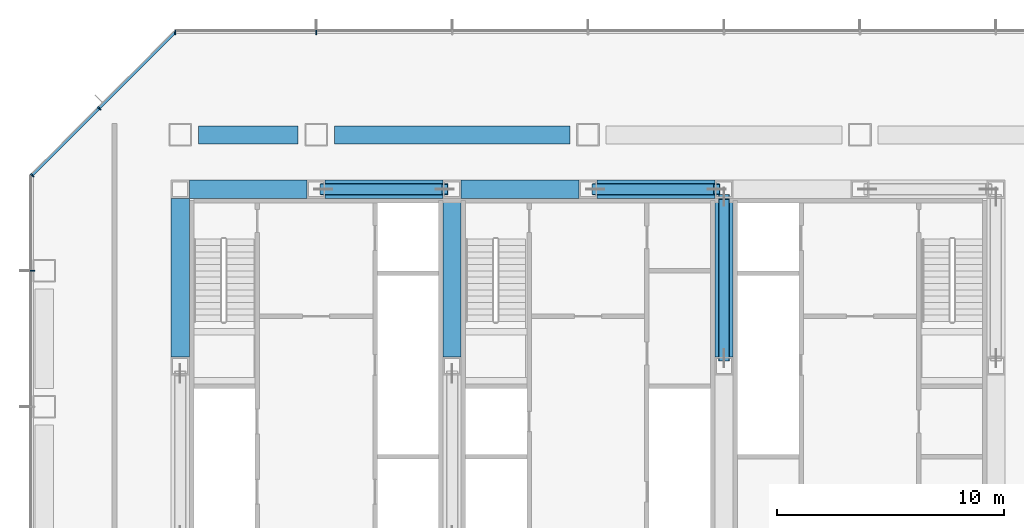
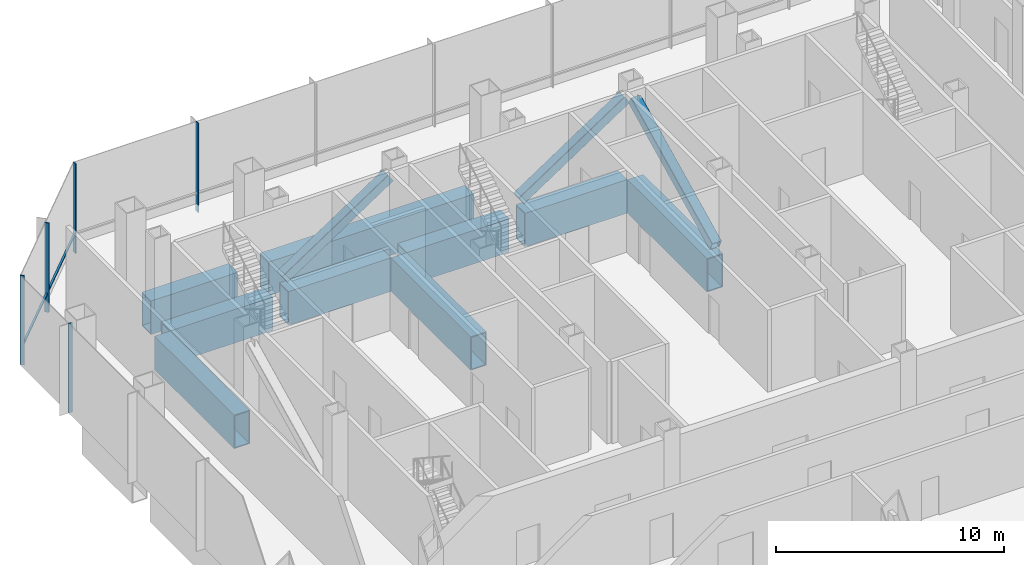
# One storey, part 12 of 34: 9 beams, 9 members, 3 elements without a shape of their own.
"""IFC4 building model written with IfcOpenShell, lengths in metres."""

from ifc_helpers import new_model, si_unit, direction, frame, origin, origin_2d, place, context, subcontext, project, spatial, rectangle, hollow_rectangle, extrude, material, material_profile, profile_set, type_object, element, aggregate, save


model = new_model("IFC4")

# Units and contexts
model_context = context("Model", 3, precision=1e-05, world=origin(), true_north=direction((0.0, 1.0)))
body_context = subcontext(model_context, "Body", "Model", "MODEL_VIEW")
ifc_project = project(units=[si_unit("LENGTHUNIT", "METRE"), si_unit("AREAUNIT", "SQUARE_METRE"), si_unit("VOLUMEUNIT", "CUBIC_METRE"), si_unit("PLANEANGLEUNIT", "RADIAN"), si_unit("MASSUNIT", "GRAM", prefix="KILO")], contexts=[model_context])

# Site, building, storey
site_placement = place(None, origin())
site = spatial("IfcSite", under=ifc_project, at=site_placement, CompositionType="ELEMENT")
building_placement = place(site_placement, origin())
building = spatial("IfcBuilding", under=site, at=building_placement, Name="Sorahane Residences", CompositionType="ELEMENT")
storey_placement = place(building_placement, frame((0.0, 0.0, 20.39990234375)))
storey = spatial("IfcBuildingStorey", under=building, at=storey_placement, Name="L02", CompositionType="ELEMENT", Elevation=20.39990234375)

# Members
ifc_material_1 = material(Name="Steel Q355B", Category="steel")
ifc_material_profile_1 = material_profile(ifc_material_1, hollow_rectangle(XDim=0.5, YDim=0.5, WallThickness=0.02490234375, InnerFilletRadius=0.012451171875, OuterFilletRadius=0.03759765625, at=origin_2d()), Name="RHS 500x500x25")
ifc_profile_set_1 = profile_set([ifc_material_profile_1], Name="Steel Q355B")
member_type_1 = type_object("IfcMemberType", Name="Core brace RHS 500x500x25 Q355B", PredefinedType="BRACE", material=ifc_profile_set_1)
for number, where, z_axis, x_axis, name in (
    (1, (12.317138671875, 45.60009765625, 0.195068359375), (0.833273178454, 0.0, 0.552861474575), (0.0, 1.0, 0.0), "Core brace L02 y45.6-2"),
    (2, (24.317138671875, 45.60009765625, 0.195068359375), (0.833273178454, 0.0, 0.552861474575), (0.0, 1.0, 0.0), "Core brace L02 y45.6-4"),
):
    element("IfcMember", number, at=place(storey_placement, frame(where, z_axis=z_axis, x_axis=x_axis)), inside=storey, type_object=member_type_1, Name=name, PredefinedType="BRACE", context=body_context, shape_type="SweptSolid", body=[
        extrude(hollow_rectangle(XDim=0.5, YDim=0.5, WallThickness=0.02490234375, InnerFilletRadius=0.012451171875, OuterFilletRadius=0.03759765625, at=origin_2d()), origin(), (0.0, 0.0, 1.0), 6.439453125),
    ])
member_1_placement = place(storey_placement, frame((30.0, 38.1337890625, 0.217529296875), z_axis=(0.0, 0.896985291701, 0.442060387811), x_axis=(-1.0, 0.0, 0.0)))
element("IfcMember", 3, at=member_1_placement, inside=storey, type_object=member_type_1, Name="Core brace L02 x30-2", PredefinedType="BRACE", context=body_context, shape_type="SweptSolid", body=[
    extrude(hollow_rectangle(XDim=0.5, YDim=0.5, WallThickness=0.02490234375, InnerFilletRadius=0.012451171875, OuterFilletRadius=0.03759765625, at=origin_2d()), origin(), (0.0, 0.0, 1.0), 7.95166015625),
])

# Curtain wall, members
ifc_material_2 = material(Name="Dark low-e glass and black anodised aluminium", Category="aluminium")
curtain_wall_type = type_object("IfcCurtainWallType", Name="Curtain wall CW-3 Podium unitised wall", PredefinedType="NOTDEFINED", material=ifc_material_2)
curtain_wall_1_placement = place(storey_placement, origin())
curtain_wall_1 = element("IfcCurtainWall", 4, at=curtain_wall_1_placement, inside=storey, type_object=curtain_wall_type, Name="CW-3 curtain wall L02 N1", PredefinedType="NOTDEFINED")
ifc_material_3 = material(Name="Black anodised aluminium", Category="aluminium")
ifc_material_profile_2 = material_profile(ifc_material_3, rectangle(XDim=0.199951171875, YDim=0.050048828125, at=origin_2d()), Name="Curtain wall mullion CW-3 black anodised aluminium 50x200")
ifc_profile_set_2 = profile_set([ifc_material_profile_2], Name="Black anodised aluminium")
member_type_2 = type_object("IfcMemberType", Name="Curtain wall mullion CW-3 black anodised aluminium 50x200", PredefinedType="MULLION", material=ifc_profile_set_2)
member_2_placement = place(storey_placement, frame((12.0, 52.52001953125, -0.39990234375), z_axis=(0.0, 0.0, 1.0), x_axis=(0.0, 1.0, 0.0)))
member_2 = element("IfcMember", 5, at=member_2_placement, type_object=member_type_2, Name="CW-3 mullion L02 N1.12", PredefinedType="MULLION", context=body_context, shape_type="SweptSolid", body=[
    extrude(rectangle(XDim=0.199951171875, YDim=0.050048828125, at=origin_2d()), origin(), (0.0, 0.0, 1.0), 4.800048828125),
])
member_3_placement = place(storey_placement, frame((5.7763671875, 52.52001953125, -0.39990234375), z_axis=(0.0, 0.0, 1.0), x_axis=(0.0, 1.0, 0.0)))
member_3 = element("IfcMember", 6, at=member_3_placement, type_object=member_type_2, Name="CW-3 mullion L02 N1.13", PredefinedType="MULLION", context=body_context, shape_type="SweptSolid", body=[
    extrude(rectangle(XDim=0.199951171875, YDim=0.050048828125, at=origin_2d()), origin(), (0.0, 0.0, 1.0), 4.800048828125),
])
aggregate(curtain_wall_1, [member_2, member_3])

curtain_wall_2_placement = place(storey_placement, origin())
curtain_wall_2 = element("IfcCurtainWall", 7, at=curtain_wall_2_placement, inside=storey, type_object=curtain_wall_type, Name="CW-3 curtain wall L02 NW1", PredefinedType="NOTDEFINED")
member_4_placement = place(storey_placement, frame((2.432373046875, 49.167724609375, -0.39990234375), z_axis=(0.0, 0.0, 1.0), x_axis=(-0.707106781187, 0.707106781187, 0.0)))
member_4 = element("IfcMember", 8, at=member_4_placement, type_object=member_type_2, Name="CW-3 mullion L02 NW1.2", PredefinedType="MULLION", context=body_context, shape_type="SweptSolid", body=[
    extrude(rectangle(XDim=0.199951171875, YDim=0.050048828125, at=origin_2d()), origin(), (0.0, 0.0, 1.0), 4.800048828125),
])
member_5_placement = place(storey_placement, frame((-0.525634765625, 46.209716796875, -0.39990234375), z_axis=(0.0, 0.0, 1.0), x_axis=(-0.707106781187, 0.707106781187, 0.0)))
member_5 = element("IfcMember", 9, at=member_5_placement, type_object=member_type_2, Name="CW-3 mullion L02 NW1.3", PredefinedType="MULLION", context=body_context, shape_type="SweptSolid", body=[
    extrude(rectangle(XDim=0.199951171875, YDim=0.050048828125, at=origin_2d()), origin(), (0.0, 0.0, 1.0), 4.800048828125),
])

# Curtain wall, member
curtain_wall_3_placement = place(storey_placement, origin())
curtain_wall_3 = element("IfcCurtainWall", 10, at=curtain_wall_3_placement, inside=storey, type_object=curtain_wall_type, Name="CW-3 curtain wall L02 W1", PredefinedType="NOTDEFINED")
member_6_placement = place(storey_placement, frame((-0.52001953125, 42.0, -0.39990234375), z_axis=(0.0, 0.0, 1.0), x_axis=(-1.0, 0.0, 0.0)))
member_6 = element("IfcMember", 11, at=member_6_placement, type_object=member_type_2, Name="CW-3 mullion L02 W1.2", PredefinedType="MULLION", context=body_context, shape_type="SweptSolid", body=[
    extrude(rectangle(XDim=0.199951171875, YDim=0.050048828125, at=origin_2d()), origin(), (0.0, 0.0, 1.0), 4.800048828125),
])
aggregate(curtain_wall_3, [member_6])

# Member
ifc_material_4 = material(Name="Black anodised aluminium", Category="aluminium")
ifc_material_profile_3 = material_profile(ifc_material_4, rectangle(XDim=0.10009765625, YDim=0.06005859375, at=origin_2d()), Name="Curtain wall transom CW-3 black anodised aluminium 60x100")
ifc_profile_set_3 = profile_set([ifc_material_profile_3], Name="Black anodised aluminium")
member_type_3 = type_object("IfcMemberType", Name="Curtain wall transom CW-3 black anodised aluminium 60x100", PredefinedType="USERDEFINED", material=ifc_profile_set_3)
member_7_placement = place(storey_placement, frame((5.765625, 52.51513671875, 0.60009765625), z_axis=(-0.707106781187, -0.707106781187, 0.0), x_axis=(0.707106781187, -0.707106781187, 0.0)))
member_7 = element("IfcMember", 12, at=member_7_placement, type_object=member_type_3, Name="CW-3 transom L02 NW1", ObjectType="TRANSOM", PredefinedType="USERDEFINED", context=body_context, shape_type="SweptSolid", body=[
    extrude(rectangle(XDim=0.10009765625, YDim=0.06005859375, at=origin_2d()), origin(), (0.0, 0.0, 1.0), 8.88232421875),
])

aggregate(curtain_wall_2, [member_4, member_5, member_7])

# Beams
ifc_material_5 = material(Name="Steel Q420GJ", Category="steel")
ifc_material_profile_4 = material_profile(ifc_material_5, hollow_rectangle(XDim=0.800048828125, YDim=1.800048828125, WallThickness=0.050048828125, at=origin_2d()), Name="BOX 1800x800x50")
ifc_profile_set_4 = profile_set([ifc_material_profile_4], Name="Steel Q420GJ")
beam_type = type_object("IfcBeamType", Name="Steel transfer girder BOX 1800x800x50 Q420GJ", PredefinedType="BEAM", material=ifc_profile_set_4)
beam_1_placement = place(storey_placement, frame((6.800048828125, 48.0, -1.2998046875), z_axis=(1.0, 0.0, 0.0), x_axis=(0.0, 1.0, 0.0)))
element("IfcBeam", 13, at=beam_1_placement, inside=storey, type_object=beam_type, Name="Beam L02 016", PredefinedType="BEAM", context=body_context, shape_type="SweptSolid", body=[
    extrude(hollow_rectangle(XDim=0.800048828125, YDim=1.800048828125, WallThickness=0.050048828125, at=origin_2d()), origin(), (0.0, 0.0, 1.0), 4.39990234375),
])
beam_2_placement = place(storey_placement, frame((12.800048828125, 48.0, -1.2998046875), z_axis=(1.0, 0.0, 0.0), x_axis=(0.0, 1.0, 0.0)))
element("IfcBeam", 14, at=beam_2_placement, inside=storey, type_object=beam_type, Name="Beam L02 017", PredefinedType="BEAM", context=body_context, shape_type="SweptSolid", body=[
    extrude(hollow_rectangle(XDim=0.800048828125, YDim=1.800048828125, WallThickness=0.050048828125, at=origin_2d()), origin(), (0.0, 0.0, 1.0), 10.39990234375),
])
for number, where, z_axis, x_axis, name in (
    (15, (6.39990234375, 45.60009765625, -1.2998046875), (1.0, 0.0, 0.0), (0.0, 1.0, 0.0), "Beam L02 025"),
    (16, (12.39990234375, 45.60009765625, -1.2998046875), (1.0, 0.0, 0.0), (0.0, 1.0, 0.0), "Beam L02 026"),
    (17, (18.39990234375, 45.60009765625, -1.2998046875), (1.0, 0.0, 0.0), (0.0, 1.0, 0.0), "Beam L02 027"),
    (18, (24.39990234375, 45.60009765625, -1.2998046875), (1.0, 0.0, 0.0), (0.0, 1.0, 0.0), "Beam L02 028"),
):
    element("IfcBeam", number, at=place(storey_placement, frame(where, z_axis=z_axis, x_axis=x_axis)), inside=storey, type_object=beam_type, Name=name, PredefinedType="BEAM", context=body_context, shape_type="SweptSolid", body=[
        extrude(hollow_rectangle(XDim=0.800048828125, YDim=1.800048828125, WallThickness=0.050048828125, at=origin_2d()), origin(), (0.0, 0.0, 1.0), 5.2001953125),
    ])
for number, where, z_axis, x_axis, name in (
    (19, (6.0, 38.199951171875, -1.2998046875), (0.0, 1.0, 0.0), (-1.0, 0.0, 0.0), "Beam L02 059"),
    (20, (18.0, 38.199951171875, -1.2998046875), (0.0, 1.0, 0.0), (-1.0, 0.0, 0.0), "Beam L02 065"),
    (21, (30.0, 38.199951171875, -1.2998046875), (0.0, 1.0, 0.0), (-1.0, 0.0, 0.0), "Beam L02 071"),
):
    element("IfcBeam", number, at=place(storey_placement, frame(where, z_axis=z_axis, x_axis=x_axis)), inside=storey, type_object=beam_type, Name=name, PredefinedType="BEAM", context=body_context, shape_type="SweptSolid", body=[
        extrude(hollow_rectangle(XDim=0.800048828125, YDim=1.800048828125, WallThickness=0.050048828125, at=origin_2d()), origin(), (0.0, 0.0, 1.0), 7.0),
    ])

save(model, "model.ifc")
